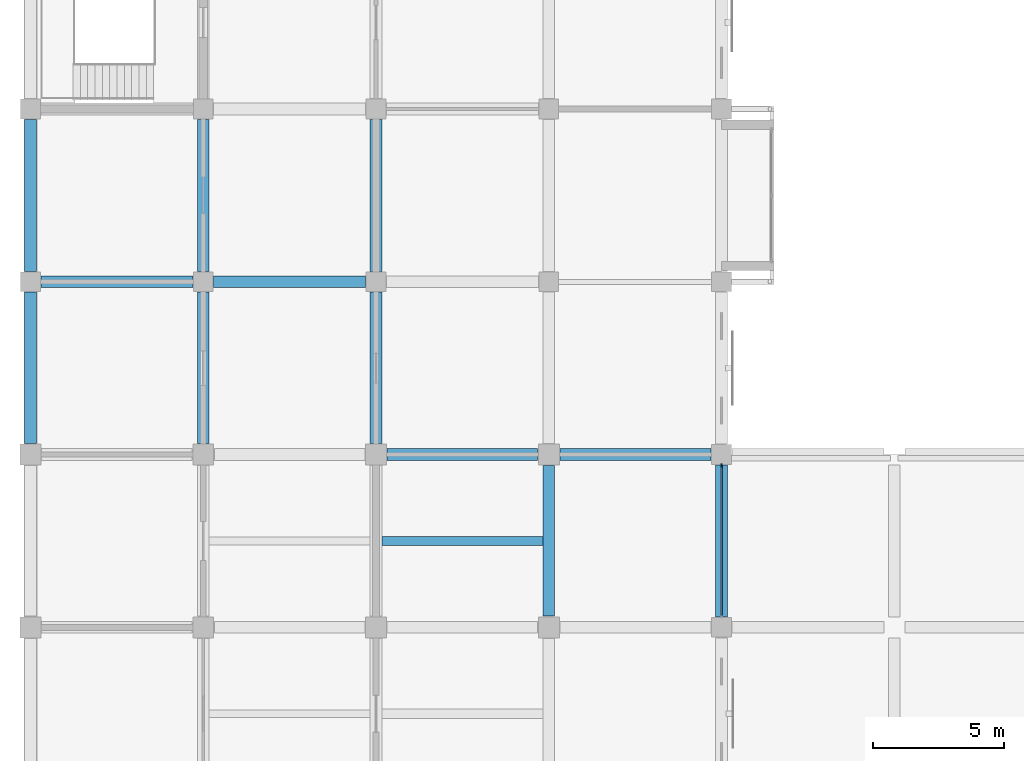
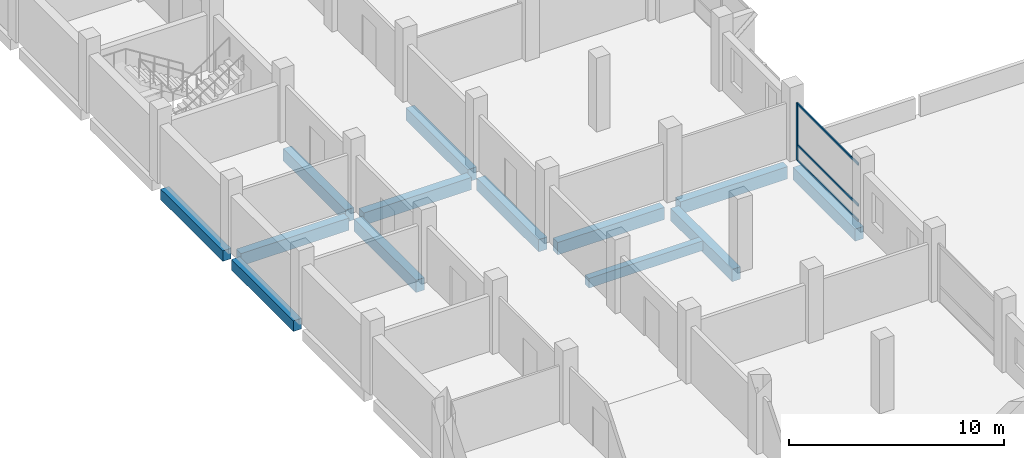
# One storey, part 7 of 23: 13 beams, 4 members, 1 element without a shape of its own.
"""IFC4 building model written with IfcOpenShell, lengths in metres."""

import ifcopenshell
import ifcopenshell.guid

model = None  # the IFC model being written
_history = None  # IfcOwnerHistory: only IFC2X3 demands one
_inside = {}  # id of a spatial element -> (the spatial element, [elements in it])
_under = {}  # id of a project, library or spatial element -> (it, [spatial elements below it])
_declared = {}  # id of a project -> (the project, [libraries it declares])
_typed = {}  # id of a type object -> (the type object, [elements of that type])
_made_of = {}  # id of a material, layer set ... -> (it, [elements and type objects made of it])


def new_model(schema):
    """Start an empty IFC model of exactly this schema.

    Asked for "IFC4X3", IfcOpenShell would pick the latest addendum, in which some entities
    have other attributes; the version numbers below select the first issue.
    IFC2X3 requires an IfcOwnerHistory on every rooted entity: one is made here for all.
    """
    global model, _history
    if schema == "IFC4X3":
        model = ifcopenshell.file(schema_version=(4, 3, 0, 0))
    else:
        model = ifcopenshell.file(schema=schema)
    _inside.clear()
    _under.clear()
    _declared.clear()
    _typed.clear()
    _made_of.clear()
    _history = None
    if model.schema == "IFC2X3":
        org = make("IfcOrganization", Name="unknown")
        user = make(
            "IfcPersonAndOrganization",
            ThePerson=make("IfcPerson", FamilyName="unknown"),
            TheOrganization=org,
        )
        app = make(
            "IfcApplication",
            ApplicationDeveloper=org,
            Version="unknown",
            ApplicationFullName="unknown",
            ApplicationIdentifier="unknown",
        )
        _history = make(
            "IfcOwnerHistory",
            OwningUser=user,
            OwningApplication=app,
            ChangeAction="ADDED",
            CreationDate=0,
        )
    return model


def make(cls, **values):
    """One entity of the class cls with the attributes given. An attribute that is None is left unset."""
    return model.create_entity(
        cls, **{name: value for name, value in values.items() if value is not None}
    )


def rooted(cls, **values):
    """An entity with a GlobalId (a new one), such as an element, a storey or a relation."""
    return make(cls, GlobalId=ifcopenshell.guid.new(), OwnerHistory=_history, **values)


def si_unit(unit_type, name, prefix=None):
    """IfcSIUnit, for example si_unit("LENGTHUNIT", "METRE", prefix="MILLI")."""
    return make("IfcSIUnit", UnitType=unit_type, Prefix=prefix, Name=name)


def assignment(units):
    """IfcUnitAssignment: the units of a project."""
    return None if units is None else make("IfcUnitAssignment", Units=units)


def point(xyz):
    """IfcCartesianPoint."""
    return None if xyz is None else make("IfcCartesianPoint", Coordinates=xyz)


def direction(xyz):
    """IfcDirection."""
    return None if xyz is None else make("IfcDirection", DirectionRatios=xyz)


def frame(location, z_axis=None, x_axis=None):
    """IfcAxis2Placement3D, a coordinate frame: its origin and axes. An axis left out is left unset."""
    return make(
        "IfcAxis2Placement3D",
        Location=point(location),
        Axis=direction(z_axis),
        RefDirection=direction(x_axis),
    )


def frame_2d(location, x_axis=None):
    """IfcAxis2Placement2D, a coordinate frame in the plane: its origin and x axis."""
    return make(
        "IfcAxis2Placement2D", Location=point(location), RefDirection=direction(x_axis)
    )


def origin():
    """The frame at (0, 0, 0) with its axes left unset."""
    return frame((0.0, 0.0, 0.0))


def origin_2d():
    """The frame at (0, 0) in the plane with its x axis left unset."""
    return frame_2d((0.0, 0.0))


def place(relative_to, where):
    """IfcLocalPlacement: puts the frame where relative to a parent placement (None: the world)."""
    return make(
        "IfcLocalPlacement", PlacementRelTo=relative_to, RelativePlacement=where
    )


def context(
    kind, dimensions, precision=None, world=None, true_north=None, identifier=None
):
    """IfcGeometricRepresentationContext, for example the 3D "Model" context."""
    return make(
        "IfcGeometricRepresentationContext",
        ContextIdentifier=identifier,
        ContextType=kind,
        CoordinateSpaceDimension=dimensions,
        Precision=precision,
        WorldCoordinateSystem=world,
        TrueNorth=true_north,
    )


def subcontext(parent, identifier, kind, view, scale=None):
    """IfcGeometricRepresentationSubContext, for example "Body" below "Model"."""
    return make(
        "IfcGeometricRepresentationSubContext",
        ContextIdentifier=identifier,
        ContextType=kind,
        ParentContext=parent,
        TargetScale=scale,
        TargetView=view,
    )


def project(units=None, contexts=None):
    """IfcProject with its units and contexts."""
    return rooted(
        "IfcProject",
        Name="project",
        RepresentationContexts=contexts,
        UnitsInContext=assignment(units),
    )


def spatial(cls, under=None, at=None, **own):
    """A site, building, storey or space (cls), placed at a placement, below another one or the project."""
    s = rooted(cls, ObjectPlacement=at, **own)
    if under is not None:
        _under.setdefault(under.id(), (under, []))[1].append(s)
    return s


def profile(cls, at=None, kind="AREA", **sizes):
    """A parametric profile (cls). Its sizes go by their IFC names, for example OverallWidth=200.0."""
    return make(cls, ProfileType=kind, Position=at, **sizes)


def rectangle(**sizes):
    """IfcRectangleProfileDef."""
    return profile("IfcRectangleProfileDef", **sizes)


def extrude(swept, where, along, depth):
    """IfcExtrudedAreaSolid: the profile swept, set in the frame where, extruded along a direction by depth."""
    return make(
        "IfcExtrudedAreaSolid",
        SweptArea=swept,
        Position=where,
        ExtrudedDirection=direction(along),
        Depth=depth,
    )


def shape(context_of_items, identifier, shape_type, items):
    """IfcShapeRepresentation: the items that make up one representation, for example the "Body"."""
    return make(
        "IfcShapeRepresentation",
        ContextOfItems=context_of_items,
        RepresentationIdentifier=identifier,
        RepresentationType=shape_type,
        Items=items,
    )


def material(Name=None, Category=None):
    """IfcMaterial."""
    return make("IfcMaterial", Name=Name, Category=Category)


def material_profile(
    of_material, cross_section, Name=None, Category=None, Priority=None
):
    """IfcMaterialProfile: a cross section and its material."""
    return make(
        "IfcMaterialProfile",
        Name=Name,
        Material=of_material,
        Profile=cross_section,
        Priority=Priority,
        Category=Category,
    )


def profile_set(profiles, Name=None, composite=None):
    """IfcMaterialProfileSet."""
    return make(
        "IfcMaterialProfileSet",
        Name=Name,
        MaterialProfiles=profiles,
        CompositeProfile=composite,
    )


def made_of(thing, what):
    """Note that an element or type object is made of a material, layer set ...; save() writes the relation."""
    if what is not None:
        _made_of.setdefault(what.id(), (what, []))[1].append(thing)
    return thing


def type_object(cls, material=None, **own):
    """A type object (cls), such as IfcWallType, which elements share."""
    return made_of(rooted(cls, **own), material)


def element(
    cls,
    number,
    at=None,
    inside=None,
    cuts=None,
    type_object=None,
    material=None,
    context=None,
    identifier="Body",
    shape_type=None,
    held_by="IfcProductDefinitionShape",
    body=None,
    shapes=None,
    **own,
):
    """One element of the class cls, such as IfcWall. Its Tag is "e" and its number.

    at: its placement. inside: the storey or other place that contains it. cuts: it is an
    opening in that element (IfcRelVoidsElement). A single representation is given by context,
    identifier, shape_type and body (its items); several are given by shapes. held_by: the class
    of the entity that holds the representations. save() writes the other relations.
    """
    e = rooted(cls, Tag="e%d" % number, ObjectPlacement=at, **own)
    if body is not None:
        shapes = [shape(context, identifier, shape_type, body)]
    if shapes is not None:
        e.Representation = make(held_by, Representations=shapes)
    if inside is not None:
        _inside.setdefault(inside.id(), (inside, []))[1].append(e)
    if cuts is not None:
        rooted(
            "IfcRelVoidsElement", RelatingBuildingElement=cuts, RelatedOpeningElement=e
        )
    if type_object is not None:
        _typed.setdefault(type_object.id(), (type_object, []))[1].append(e)
    return made_of(e, material)


def aggregate(whole, parts):
    """IfcRelAggregates: a whole, such as a stair, and the parts it consists of."""
    return rooted("IfcRelAggregates", RelatingObject=whole, RelatedObjects=parts)


def save(model, path):
    """Write the relations noted so far, then the file.

    IfcRelAggregates (storeys below a building ...), IfcRelContainedInSpatialStructure (elements
    in a storey), IfcRelDefinesByType, IfcRelAssociatesMaterial and IfcRelDeclares: one each for
    every whole, place, type object, material and project.
    """
    for whole, parts in _under.values():
        aggregate(whole, parts)
    for where, things in _inside.values():
        rooted(
            "IfcRelContainedInSpatialStructure",
            RelatedElements=things,
            RelatingStructure=where,
        )
    for kind, things in _typed.values():
        rooted("IfcRelDefinesByType", RelatedObjects=things, RelatingType=kind)
    for what, things in _made_of.values():
        rooted("IfcRelAssociatesMaterial", RelatedObjects=things, RelatingMaterial=what)
    for by, libraries in _declared.values():
        rooted("IfcRelDeclares", RelatingContext=by, RelatedDefinitions=libraries)
    model.write(path)


model = new_model("IFC4")

# Units and contexts
model_context = context("Model", 3, precision=1e-05, world=origin(), true_north=direction((0.0, 1.0)))
body_context = subcontext(model_context, "Body", "Model", "MODEL_VIEW")
ifc_project = project(units=[si_unit("LENGTHUNIT", "METRE"), si_unit("AREAUNIT", "SQUARE_METRE"), si_unit("VOLUMEUNIT", "CUBIC_METRE"), si_unit("PLANEANGLEUNIT", "RADIAN"), si_unit("MASSUNIT", "GRAM", prefix="KILO")], contexts=[model_context])

# Site, building, storey
site_placement = place(None, origin())
site = spatial("IfcSite", under=ifc_project, at=site_placement, CompositionType="ELEMENT")
building_placement = place(site_placement, origin())
building = spatial("IfcBuilding", under=site, at=building_placement, Name="Rusizi Kubbe Research Institute", CompositionType="ELEMENT")
storey_placement = place(building_placement, frame((0.0, 0.0, 18.60009765625)))
storey = spatial("IfcBuildingStorey", under=building, at=storey_placement, Name="L04", CompositionType="ELEMENT", Elevation=18.60009765625)

# Beams
ifc_material_1 = material(Name="Concrete C40/50", Category="concrete")
ifc_material_profile_1 = material_profile(ifc_material_1, rectangle(XDim=0.35009765625, YDim=0.550048828125, at=origin_2d()), Name="RC350x550")
ifc_profile_set_1 = profile_set([ifc_material_profile_1], Name="Concrete C40/50")
beam_type_1 = type_object("IfcBeamType", Name="BM-RC350x550", PredefinedType="JOIST", material=ifc_profile_set_1)
beam_1_placement = place(storey_placement, frame((13.425048828125, 49.5, -0.614990234375), z_axis=(1.0, 0.0, 0.0), x_axis=(0.0, 1.0, 0.0)))
element("IfcBeam", 1, at=beam_1_placement, inside=storey, type_object=beam_type_1, Name="Lab Stiffener Joist L04 (2,7)", PredefinedType="JOIST", context=body_context, shape_type="SweptSolid", body=[
    extrude(rectangle(XDim=0.35009765625, YDim=0.550048828125, at=origin_2d()), origin(), (0.0, 0.0, 1.0), 6.14990234375),
])
ifc_material_2 = material(Name="Concrete C40/50", Category="concrete")
ifc_material_profile_2 = material_profile(ifc_material_2, rectangle(XDim=0.449951171875, YDim=0.60009765625, at=origin_2d()), Name="RC450x600")
ifc_profile_set_2 = profile_set([ifc_material_profile_2], Name="Concrete C40/50")
beam_type_2 = type_object("IfcBeamType", Name="BM-RC450x600", PredefinedType="SPANDREL", material=ifc_profile_set_2)
beam_2_placement = place(storey_placement, frame((0.0, 53.22509765625, -0.64013671875), z_axis=(0.0, 1.0, 0.0), x_axis=(-1.0, 0.0, 0.0)))
element("IfcBeam", 2, at=beam_2_placement, inside=storey, type_object=beam_type_2, Name="Grid Beam V L04 (0,8)", PredefinedType="SPANDREL", context=body_context, shape_type="SweptSolid", body=[
    extrude(rectangle(XDim=0.449951171875, YDim=0.60009765625, at=origin_2d()), origin(), (0.0, 0.0, 1.0), 5.77490234375),
])
beam_3_placement = place(storey_placement, frame((0.0, 59.800048828125, -0.64013671875), z_axis=(0.0, 1.0, 0.0), x_axis=(-1.0, 0.0, 0.0)))
element("IfcBeam", 3, at=beam_3_placement, inside=storey, type_object=beam_type_2, Name="Grid Beam V L04 (0,9)", PredefinedType="SPANDREL", context=body_context, shape_type="SweptSolid", body=[
    extrude(rectangle(XDim=0.449951171875, YDim=0.60009765625, at=origin_2d()), origin(), (0.0, 0.0, 1.0), 5.800048828125),
])
ifc_material_3 = material(Name="Concrete C40/50", Category="concrete")
ifc_material_profile_3 = material_profile(ifc_material_3, rectangle(XDim=0.449951171875, YDim=0.699951171875, at=origin_2d()), Name="RC450x700B")
ifc_profile_set_3 = profile_set([ifc_material_profile_3], Name="Concrete C40/50")
beam_type_3 = type_object("IfcBeamType", Name="BM-RC450x700", PredefinedType="BEAM", material=ifc_profile_set_3)
for number, where, z_axis, x_axis, name in (
    (4, (0.39990234375, 59.39990234375, -0.690185546875), (1.0, 0.0, 0.0), (0.0, 1.0, 0.0), "Grid Beam H L04 (0,9)"),
    (5, (7.0, 59.39990234375, -0.690185546875), (1.0, 0.0, 0.0), (0.0, 1.0, 0.0), "Grid Beam H L04 (1,9)"),
):
    element("IfcBeam", number, at=place(storey_placement, frame(where, z_axis=z_axis, x_axis=x_axis)), inside=storey, type_object=beam_type_3, Name=name, PredefinedType="BEAM", context=body_context, shape_type="SweptSolid", body=[
        extrude(rectangle(XDim=0.449951171875, YDim=0.699951171875, at=origin_2d()), origin(), (0.0, 0.0, 1.0), 5.800048828125),
    ])
beam_4_placement = place(storey_placement, frame((13.625, 52.800048828125, -0.690185546875), z_axis=(1.0, 0.0, 0.0), x_axis=(0.0, 1.0, 0.0)))
element("IfcBeam", 6, at=beam_4_placement, inside=storey, type_object=beam_type_3, Name="Grid Beam H L04 (2,8)", PredefinedType="BEAM", context=body_context, shape_type="SweptSolid", body=[
    extrude(rectangle(XDim=0.449951171875, YDim=0.699951171875, at=origin_2d()), origin(), (0.0, 0.0, 1.0), 5.75),
])
for number, where, z_axis, x_axis, name in (
    (7, (20.22509765625, 52.800048828125, -0.690185546875), (1.0, 0.0, 0.0), (0.0, 1.0, 0.0), "Grid Beam H L04 (3,8)"),
    (8, (6.60009765625, 53.22509765625, -0.690185546875), (0.0, 1.0, 0.0), (-1.0, 0.0, 0.0), "Grid Beam V L04 (1,8)"),
):
    element("IfcBeam", number, at=place(storey_placement, frame(where, z_axis=z_axis, x_axis=x_axis)), inside=storey, type_object=beam_type_3, Name=name, PredefinedType="BEAM", context=body_context, shape_type="SweptSolid", body=[
        extrude(rectangle(XDim=0.449951171875, YDim=0.699951171875, at=origin_2d()), origin(), (0.0, 0.0, 1.0), 5.77490234375),
    ])
beam_5_placement = place(storey_placement, frame((6.60009765625, 59.800048828125, -0.690185546875), z_axis=(0.0, 1.0, 0.0), x_axis=(-1.0, 0.0, 0.0)))
element("IfcBeam", 9, at=beam_5_placement, inside=storey, type_object=beam_type_3, Name="Grid Beam V L04 (1,9)", PredefinedType="BEAM", context=body_context, shape_type="SweptSolid", body=[
    extrude(rectangle(XDim=0.449951171875, YDim=0.699951171875, at=origin_2d()), origin(), (0.0, 0.0, 1.0), 5.800048828125),
])
beam_6_placement = place(storey_placement, frame((13.199951171875, 53.22509765625, -0.690185546875), z_axis=(0.0, 1.0, 0.0), x_axis=(-1.0, 0.0, 0.0)))
element("IfcBeam", 10, at=beam_6_placement, inside=storey, type_object=beam_type_3, Name="Grid Beam V L04 (2,8)", PredefinedType="BEAM", context=body_context, shape_type="SweptSolid", body=[
    extrude(rectangle(XDim=0.449951171875, YDim=0.699951171875, at=origin_2d()), origin(), (0.0, 0.0, 1.0), 5.77490234375),
])
beam_7_placement = place(storey_placement, frame((13.199951171875, 59.800048828125, -0.690185546875), z_axis=(0.0, 1.0, 0.0), x_axis=(-1.0, 0.0, 0.0)))
element("IfcBeam", 11, at=beam_7_placement, inside=storey, type_object=beam_type_3, Name="Grid Beam V L04 (2,9)", PredefinedType="BEAM", context=body_context, shape_type="SweptSolid", body=[
    extrude(rectangle(XDim=0.449951171875, YDim=0.699951171875, at=origin_2d()), origin(), (0.0, 0.0, 1.0), 5.800048828125),
])
beam_8_placement = place(storey_placement, frame((19.800048828125, 46.625, -0.690185546875), z_axis=(0.0, 1.0, 0.0), x_axis=(-1.0, 0.0, 0.0)))
element("IfcBeam", 12, at=beam_8_placement, inside=storey, type_object=beam_type_3, Name="Grid Beam V L04 (3,7)", PredefinedType="BEAM", context=body_context, shape_type="SweptSolid", body=[
    extrude(rectangle(XDim=0.449951171875, YDim=0.699951171875, at=origin_2d()), origin(), (0.0, 0.0, 1.0), 5.75),
])
beam_9_placement = place(storey_placement, frame((26.39990234375, 46.60009765625, -0.690185546875), z_axis=(0.0, 1.0, 0.0), x_axis=(-1.0, 0.0, 0.0)))
element("IfcBeam", 13, at=beam_9_placement, inside=storey, type_object=beam_type_3, Name="Grid Beam V L04 (4,7)", PredefinedType="BEAM", context=body_context, shape_type="SweptSolid", body=[
    extrude(rectangle(XDim=0.449951171875, YDim=0.699951171875, at=origin_2d()), origin(), (0.0, 0.0, 1.0), 5.7998046875),
])

# Curtain wall, members
ifc_material_4 = material(Name="Thermally Broken Aluminium and Low-E Glazing", Category="aluminium")
curtain_wall_type = type_object("IfcCurtainWallType", Name="CW-07", PredefinedType="NOTDEFINED", material=ifc_material_4)
curtain_wall_placement = place(storey_placement, origin())
curtain_wall = element("IfcCurtainWall", 14, at=curtain_wall_placement, inside=storey, type_object=curtain_wall_type, Name="Unitised Facade Curtain Wall CW-L04-V-04-07", PredefinedType="NOTDEFINED")
ifc_material_5 = material(Name="Aluminium Alloy 6063-T6", Category="aluminium")
ifc_material_profile_4 = material_profile(ifc_material_5, rectangle(XDim=0.06005859375, YDim=0.14990234375, at=origin_2d()), Name="ALU-M 60x150")
ifc_profile_set_4 = profile_set([ifc_material_profile_4], Name="Aluminium Alloy 6063-T6")
member_type_1 = type_object("IfcMemberType", Name="ML-01", PredefinedType="MULLION", material=ifc_profile_set_4)
member_1_placement = place(storey_placement, frame((26.39990234375, 52.364990234375, 0.0), z_axis=(0.0, 0.0, 1.0), x_axis=(-1.0, 0.0, 0.0)))
member_1 = element("IfcMember", 15, at=member_1_placement, type_object=member_type_1, Name="CW-07 mullion 2", PredefinedType="MULLION", context=body_context, shape_type="SweptSolid", body=[
    extrude(rectangle(XDim=0.06005859375, YDim=0.14990234375, at=origin_2d()), origin(), (0.0, 0.0, 1.0), 3.260009765625),
])
ifc_material_6 = material(Name="Aluminium Alloy 6063-T6", Category="aluminium")
ifc_material_profile_5 = material_profile(ifc_material_6, rectangle(XDim=0.06005859375, YDim=0.1201171875, at=origin_2d()), Name="ALU-T 60x120")
ifc_profile_set_5 = profile_set([ifc_material_profile_5], Name="Aluminium Alloy 6063-T6")
member_type_2 = type_object("IfcMemberType", Name="TR-01", PredefinedType="USERDEFINED", material=ifc_profile_set_5)
member_2_placement = place(storey_placement, frame((26.39990234375, 46.6650390625, 0.02978515625), z_axis=(0.0, 1.0, 0.0), x_axis=(-1.0, 0.0, 0.0)))
member_2 = element("IfcMember", 16, at=member_2_placement, type_object=member_type_2, Name="CW-07 transom 1.1", ObjectType="TRANSOM", PredefinedType="USERDEFINED", context=body_context, shape_type="SweptSolid", body=[
    extrude(rectangle(XDim=0.06005859375, YDim=0.1201171875, at=origin_2d()), origin(), (0.0, 0.0, 1.0), 5.669921875),
])
member_3_placement = place(storey_placement, frame((26.39990234375, 46.6650390625, 0.89990234375), z_axis=(0.0, 1.0, 0.0), x_axis=(-1.0, 0.0, 0.0)))
member_3 = element("IfcMember", 17, at=member_3_placement, type_object=member_type_2, Name="CW-07 transom 1.2", ObjectType="TRANSOM", PredefinedType="USERDEFINED", context=body_context, shape_type="SweptSolid", body=[
    extrude(rectangle(XDim=0.06005859375, YDim=0.1201171875, at=origin_2d()), origin(), (0.0, 0.0, 1.0), 5.669921875),
])
member_4_placement = place(storey_placement, frame((26.39990234375, 46.6650390625, 3.22998046875), z_axis=(0.0, 1.0, 0.0), x_axis=(-1.0, 0.0, 0.0)))
member_4 = element("IfcMember", 18, at=member_4_placement, type_object=member_type_2, Name="CW-07 transom 1.3", ObjectType="TRANSOM", PredefinedType="USERDEFINED", context=body_context, shape_type="SweptSolid", body=[
    extrude(rectangle(XDim=0.06005859375, YDim=0.1201171875, at=origin_2d()), origin(), (0.0, 0.0, 1.0), 5.669921875),
])
aggregate(curtain_wall, [member_1, member_2, member_3, member_4])

save(model, "model.ifc")
